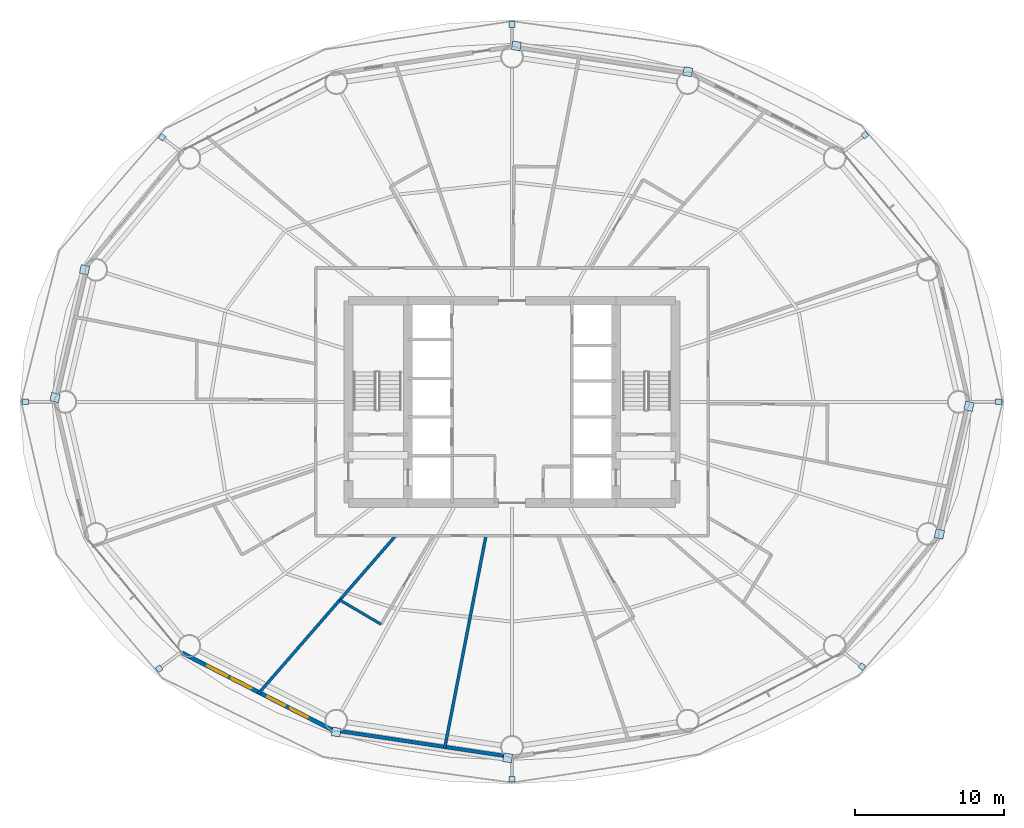
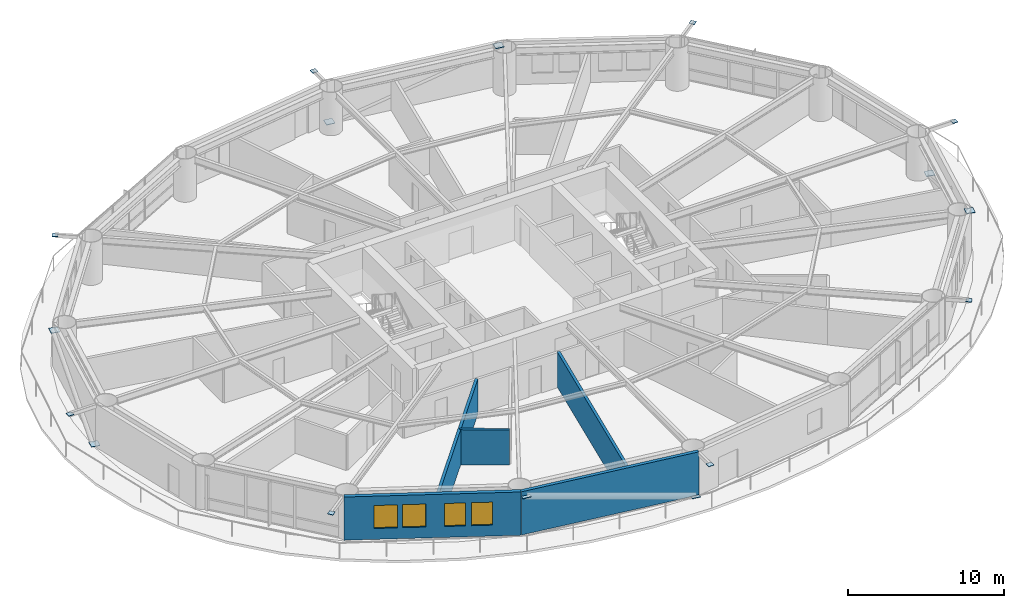
# One storey, part 19 of 26: 16 plates, 5 walls, 4 windows, 4 openings.
"""IFC4 building model written with IfcOpenShell, lengths in metres."""

from ifc_helpers import new_model, si_unit, direction, frame, frame_2d, origin, origin_2d, place, context, subcontext, project, spatial, rectangle, extrude, material, layer, layer_set, type_object, element, fill, save


model = new_model("IFC4")

# Units and contexts
model_context = context("Model", 3, precision=1e-05, world=origin(), true_north=direction((0.0, 1.0)))
body_context = subcontext(model_context, "Body", "Model", "MODEL_VIEW")
ifc_project = project(units=[si_unit("LENGTHUNIT", "METRE"), si_unit("AREAUNIT", "SQUARE_METRE"), si_unit("VOLUMEUNIT", "CUBIC_METRE"), si_unit("PLANEANGLEUNIT", "RADIAN"), si_unit("MASSUNIT", "GRAM", prefix="KILO")], contexts=[model_context])

# Site, building, storey
site_placement = place(None, origin())
site = spatial("IfcSite", under=ifc_project, at=site_placement, CompositionType="ELEMENT")
building_placement = place(site_placement, origin())
building = spatial("IfcBuilding", under=site, at=building_placement, Name="Sarneth Arch Tower", CompositionType="ELEMENT")
storey_placement = place(building_placement, frame((0.0, 0.0, 71.39990234375)))
storey = spatial("IfcBuildingStorey", under=building, at=storey_placement, Name="L17", CompositionType="ELEMENT", Elevation=71.39990234375)

# Plates
ifc_material_1 = material(Name="Steel S355", Category="steel")
ifc_layer_1 = layer(ifc_material_1, 0.035888671875)
ifc_layer_set_1 = layer_set([ifc_layer_1], Name="Steel S355")
plate_type = type_object("IfcPlateType", Name="PLT-GUSSET-30", PredefinedType="SHEET", material=ifc_layer_set_1)
for number, where, z_axis, x_axis, name in (
    (1, (80.70703125, 42.0, 3.2021484375), (0.0, 0.0, 1.0), (1.0, 0.0, 0.0), "Steel end cap plate GP-1"),
    (2, (71.72705078125, 59.940185546875, 3.2021484375), (0.0, 0.0, 1.0), (0.797689196331, 0.603068773902, 0.0), "Steel end cap plate GP-1"),
):
    element("IfcPlate", number, at=place(storey_placement, frame(where, z_axis=z_axis, x_axis=x_axis)), inside=storey, type_object=plate_type, Name=name, PredefinedType="SHEET", context=body_context, shape_type="SweptSolid", body=[
        extrude(rectangle(XDim=0.3798828125, YDim=0.3798828125, at=origin_2d()), origin(), (0.0, 0.0, 1.0), 0.035888671875),
    ])
for number, where, z_axis, x_axis, name in (
    (3, (48.296630859375, 65.935302734375, 0.001953125), (0.0, 0.0, 1.0), (-0.98883454203, 0.149017611339, 0.0), "Steel end cap plate GP-1"),
    (4, (59.819580078125, 64.19921875, 2.98876953125), (0.0, 0.0, 1.0), (-0.98883454203, 0.149017611339, 0.0), "Steel end cap plate GP-1"),
):
    element("IfcPlate", number, at=place(storey_placement, frame(where, z_axis=z_axis, x_axis=x_axis)), inside=storey, type_object=plate_type, Name=name, PredefinedType="SHEET", context=body_context, shape_type="SweptSolid", body=[
        extrude(rectangle(XDim=0.587890625, YDim=0.587890625, at=origin_2d()), origin(), (0.0, 0.0, 1.0), 0.035888671875),
    ])
for number, where, z_axis, x_axis, name in (
    (5, (48.0, 67.3779296875, 3.2021484375), (0.0, 0.0, 1.0), (0.0, 1.0, 0.0), "Steel end cap plate GP-1"),
    (6, (24.465087890625, 59.794677734375, 3.2021484375), (0.0, 0.0, 1.0), (-0.797689196331, 0.603068773902, 0.0), "Steel end cap plate GP-1"),
):
    element("IfcPlate", number, at=place(storey_placement, frame(where, z_axis=z_axis, x_axis=x_axis)), inside=storey, type_object=plate_type, Name=name, PredefinedType="SHEET", context=body_context, shape_type="SweptSolid", body=[
        extrude(rectangle(XDim=0.3798828125, YDim=0.3798828125, at=origin_2d()), origin(), (0.0, 0.0, 1.0), 0.035888671875),
    ])
for number, where, z_axis, x_axis, name in (
    (7, (17.274658203125, 42.292236328125, 0.001953125), (0.0, 0.0, 1.0), (-0.225291159947, -0.974291482694, 0.0), "Steel end cap plate GP-1"),
    (8, (19.260986328125, 50.884521484375, 2.98876953125), (0.0, 0.0, 1.0), (-0.225291159947, -0.974291482694, 0.0), "Steel end cap plate GP-1"),
):
    element("IfcPlate", number, at=place(storey_placement, frame(where, z_axis=z_axis, x_axis=x_axis)), inside=storey, type_object=plate_type, Name=name, PredefinedType="SHEET", context=body_context, shape_type="SweptSolid", body=[
        extrude(rectangle(XDim=0.587890625, YDim=0.587890625, at=origin_2d()), origin(), (0.0, 0.0, 1.0), 0.035888671875),
    ])
for number, where, z_axis, x_axis, name in (
    (9, (15.29296875, 42.0, 3.2021484375), (0.0, 0.0, 1.0), (-1.0, 0.0, 0.0), "Steel end cap plate GP-1"),
    (10, (24.27294921875, 24.059814453125, 3.2021484375), (0.0, 0.0, 1.0), (-0.797689196331, -0.603068773902, 0.0), "Steel end cap plate GP-1"),
):
    element("IfcPlate", number, at=place(storey_placement, frame(where, z_axis=z_axis, x_axis=x_axis)), inside=storey, type_object=plate_type, Name=name, PredefinedType="SHEET", context=body_context, shape_type="SweptSolid", body=[
        extrude(rectangle(XDim=0.3798828125, YDim=0.3798828125, at=origin_2d()), origin(), (0.0, 0.0, 1.0), 0.035888671875),
    ])
for number, where, z_axis, x_axis, name in (
    (11, (47.703369140625, 18.064697265625, 0.001953125), (0.0, 0.0, 1.0), (0.98883454203, -0.149017611339, 0.0), "Steel end cap plate GP-1"),
    (12, (36.180419921875, 19.80078125, 2.98876953125), (0.0, 0.0, 1.0), (0.98883454203, -0.149017611339, 0.0), "Steel end cap plate GP-1"),
):
    element("IfcPlate", number, at=place(storey_placement, frame(where, z_axis=z_axis, x_axis=x_axis)), inside=storey, type_object=plate_type, Name=name, PredefinedType="SHEET", context=body_context, shape_type="SweptSolid", body=[
        extrude(rectangle(XDim=0.587890625, YDim=0.587890625, at=origin_2d()), origin(), (0.0, 0.0, 1.0), 0.035888671875),
    ])
for number, where, z_axis, x_axis, name in (
    (13, (48.0, 16.6220703125, 3.2021484375), (0.0, 0.0, 1.0), (0.0, -1.0, 0.0), "Steel end cap plate GP-1"),
    (14, (71.534912109375, 24.205322265625, 3.2021484375), (0.0, 0.0, 1.0), (0.797689196331, -0.603068773902, 0.0), "Steel end cap plate GP-1"),
):
    element("IfcPlate", number, at=place(storey_placement, frame(where, z_axis=z_axis, x_axis=x_axis)), inside=storey, type_object=plate_type, Name=name, PredefinedType="SHEET", context=body_context, shape_type="SweptSolid", body=[
        extrude(rectangle(XDim=0.3798828125, YDim=0.3798828125, at=origin_2d()), origin(), (0.0, 0.0, 1.0), 0.035888671875),
    ])
for number, where, z_axis, x_axis, name in (
    (15, (78.725341796875, 41.707763671875, 0.001953125), (0.0, 0.0, 1.0), (0.225291159947, 0.974291482694, 0.0), "Steel end cap plate GP-1"),
    (16, (76.739013671875, 33.115478515625, 2.98876953125), (0.0, 0.0, 1.0), (0.225291159947, 0.974291482694, 0.0), "Steel end cap plate GP-1"),
):
    element("IfcPlate", number, at=place(storey_placement, frame(where, z_axis=z_axis, x_axis=x_axis)), inside=storey, type_object=plate_type, Name=name, PredefinedType="SHEET", context=body_context, shape_type="SweptSolid", body=[
        extrude(rectangle(XDim=0.587890625, YDim=0.587890625, at=origin_2d()), origin(), (0.0, 0.0, 1.0), 0.035888671875),
    ])

# Wall
ifc_material_2 = material(Name="Extruded terracotta rainscreen on Concrete C40/50 backing", Category="masonry")
ifc_layer_2 = layer(ifc_material_2, 0.25)
ifc_layer_set_2 = layer_set([ifc_layer_2], Name="Extruded terracotta rainscreen on Concrete C40/50 backing")
wall_type_1 = type_object("IfcWallType", Name="WALL-EXT-SPAND-250", PredefinedType="SOLIDWALL", material=ifc_layer_set_2)
wall_1_placement = place(storey_placement, frame((35.922119140625, 19.937744140625, 0.0), z_axis=(0.0, 0.0, 1.0), x_axis=(0.988864835849, -0.148816452121, 0.0)))
element("IfcWall", 17, at=wall_1_placement, inside=storey, type_object=wall_type_1, Name="L17 Terracotta perimeter wall 12", PredefinedType="SOLIDWALL", context=body_context, shape_type="SweptSolid", body=[
    extrude(rectangle(XDim=12.2138671875, YDim=0.25, at=frame_2d((6.10693359375, 0.0))), origin(), (0.0, 0.0, 1.0), 3.380126953125),
])

# Wall, openings, windows
ifc_material_3 = material(Name="Extruded terracotta rainscreen on Concrete C40/50 backing", Category="masonry")
ifc_layer_3 = layer(ifc_material_3, 0.280029296875)
ifc_layer_set_3 = layer_set([ifc_layer_3], Name="Extruded terracotta rainscreen on Concrete C40/50 backing")
wall_type_2 = type_object("IfcWallType", Name="WALL-EXT-TERRA-280", PredefinedType="SOLIDWALL", material=ifc_layer_set_3)
wall_2_placement = place(storey_placement, frame((25.825927734375, 25.1142578125, 0.0), z_axis=(0.0, 0.0, 1.0), x_axis=(0.889853976658, -0.456245438581, 0.0)))
wall_2 = element("IfcWall", 18, at=wall_2_placement, inside=storey, type_object=wall_type_2, Name="L17 Terracotta perimeter wall 11", PredefinedType="SOLIDWALL", context=body_context, shape_type="SweptSolid", body=[
    extrude(rectangle(XDim=11.345947265625, YDim=0.280029296875, at=frame_2d((5.6728515625, 0.0))), origin(), (0.0, 0.0, 1.0), 3.380126953125),
])
opening_1_placement = place(wall_2_placement, frame((1.919677734375, 0.0, 0.85009765625)))
opening_1 = element("IfcOpeningElement", 19, at=opening_1_placement, cuts=wall_2, Name="Opening W-07", PredefinedType="OPENING", context=body_context, shape_type="SweptSolid", body=[
    extrude(rectangle(XDim=1.5, YDim=1.800048828125, at=frame_2d((0.75, 0.89990234375))), frame((0.0, 0.14990234375, 0.0), z_axis=(0.0, -1.0, 0.0), x_axis=(1.0, 0.0, 0.0)), (0.0, 0.0, 1.0), 0.300048828125),
])
opening_2_placement = place(wall_2_placement, frame((3.733642578125, 0.0, 0.85009765625)))
opening_2 = element("IfcOpeningElement", 20, at=opening_2_placement, cuts=wall_2, Name="Opening W-07", PredefinedType="OPENING", context=body_context, shape_type="SweptSolid", body=[
    extrude(rectangle(XDim=1.5, YDim=1.800048828125, at=frame_2d((0.75, 0.89990234375))), frame((0.0, 0.14990234375, 0.0), z_axis=(0.0, -1.0, 0.0), x_axis=(1.0, 0.0, 0.0)), (0.0, 0.0, 1.0), 0.300048828125),
])
opening_3_placement = place(wall_2_placement, frame((6.4287109375, 0.0, 0.85009765625)))
opening_3 = element("IfcOpeningElement", 21, at=opening_3_placement, cuts=wall_2, Name="Opening W-08", PredefinedType="OPENING", context=body_context, shape_type="SweptSolid", body=[
    extrude(rectangle(XDim=1.35009765625, YDim=1.800048828125, at=frame_2d((0.675048828125, 0.89990234375))), frame((0.0, 0.14990234375, 0.0), z_axis=(0.0, -1.0, 0.0), x_axis=(1.0, 0.0, 0.0)), (0.0, 0.0, 1.0), 0.300048828125),
])
opening_4_placement = place(wall_2_placement, frame((8.15966796875, 0.0, 0.85009765625)))
opening_4 = element("IfcOpeningElement", 22, at=opening_4_placement, cuts=wall_2, Name="Opening W-08", PredefinedType="OPENING", context=body_context, shape_type="SweptSolid", body=[
    extrude(rectangle(XDim=1.35009765625, YDim=1.800048828125, at=frame_2d((0.675048828125, 0.89990234375))), frame((0.0, 0.14990234375, 0.0), z_axis=(0.0, -1.0, 0.0), x_axis=(1.0, 0.0, 0.0)), (0.0, 0.0, 1.0), 0.300048828125),
])
ifc_material_4 = material(Name="Thermally broken Aluminium 6063-T6 and low-e laminated IGU", Category="aluminium")
window_type_1 = type_object("IfcWindowType", Name="WIN-TWR-1350x1800", PartitioningType="SINGLE_PANEL", PredefinedType="WINDOW", material=ifc_material_4)
window_1_placement = place(opening_3_placement, origin())
window_1 = element("IfcWindow", 23, at=window_1_placement, inside=storey, type_object=window_type_1, Name="L17 Exterior window 11C", OverallHeight=1.800048828125, OverallWidth=1.35009765625, PartitioningType="SINGLE_PANEL", PredefinedType="WINDOW", context=body_context, shape_type="SweptSolid", body=[
    extrude(rectangle(XDim=1.35009765625, YDim=1.800048828125, at=frame_2d((0.675048828125, 0.89990234375))), frame((0.0, 0.030029296875, 0.0), z_axis=(0.0, -1.0, 0.0), x_axis=(1.0, 0.0, 0.0)), (0.0, 0.0, 1.0), 0.06005859375),
])
fill(opening_3, window_1)
window_2_placement = place(opening_4_placement, origin())
window_2 = element("IfcWindow", 24, at=window_2_placement, inside=storey, type_object=window_type_1, Name="L17 Exterior window 11D", OverallHeight=1.800048828125, OverallWidth=1.35009765625, PartitioningType="SINGLE_PANEL", PredefinedType="WINDOW", context=body_context, shape_type="SweptSolid", body=[
    extrude(rectangle(XDim=1.35009765625, YDim=1.800048828125, at=frame_2d((0.675048828125, 0.89990234375))), frame((0.0, 0.030029296875, 0.0), z_axis=(0.0, -1.0, 0.0), x_axis=(1.0, 0.0, 0.0)), (0.0, 0.0, 1.0), 0.06005859375),
])
fill(opening_4, window_2)
ifc_material_5 = material(Name="Thermally broken Aluminium 6063-T6 and low-e laminated IGU", Category="aluminium")
window_type_2 = type_object("IfcWindowType", Name="WIN-TWR-1500x1800", PartitioningType="SINGLE_PANEL", PredefinedType="WINDOW", material=ifc_material_5)
window_3_placement = place(opening_1_placement, origin())
window_3 = element("IfcWindow", 25, at=window_3_placement, inside=storey, type_object=window_type_2, Name="L17 Exterior window 11A", OverallHeight=1.800048828125, OverallWidth=1.5, PartitioningType="SINGLE_PANEL", PredefinedType="WINDOW", context=body_context, shape_type="SweptSolid", body=[
    extrude(rectangle(XDim=1.5, YDim=1.800048828125, at=frame_2d((0.75, 0.89990234375))), frame((0.0, 0.030029296875, 0.0), z_axis=(0.0, -1.0, 0.0), x_axis=(1.0, 0.0, 0.0)), (0.0, 0.0, 1.0), 0.06005859375),
])
fill(opening_1, window_3)
window_4_placement = place(opening_2_placement, origin())
window_4 = element("IfcWindow", 26, at=window_4_placement, inside=storey, type_object=window_type_2, Name="L17 Exterior window 11B", OverallHeight=1.800048828125, OverallWidth=1.5, PartitioningType="SINGLE_PANEL", PredefinedType="WINDOW", context=body_context, shape_type="SweptSolid", body=[
    extrude(rectangle(XDim=1.5, YDim=1.800048828125, at=frame_2d((0.75, 0.89990234375))), frame((0.0, 0.030029296875, 0.0), z_axis=(0.0, -1.0, 0.0), x_axis=(1.0, 0.0, 0.0)), (0.0, 0.0, 1.0), 0.06005859375),
])
fill(opening_2, window_4)

# Walls
ifc_material_6 = material(Name="Moisture-resistant plumbing chase wall", Category="gypsum")
ifc_layer_4 = layer(ifc_material_6, 0.179931640625)
ifc_layer_set_4 = layer_set([ifc_layer_4], Name="Moisture-resistant plumbing chase wall")
wall_type_3 = type_object("IfcWallType", Name="WALL-PLUMB-180", PredefinedType="PLUMBINGWALL", material=ifc_layer_set_4)
wall_3_placement = place(storey_placement, frame((36.42138671875, 28.680419921875, 0.0), z_axis=(0.0, 0.0, 1.0), x_axis=(0.861637458593, -0.507524275232, 0.0)))
element("IfcWall", 27, at=wall_3_placement, inside=storey, type_object=wall_type_3, Name="L17 Interior partition W-L17-TP-050", PredefinedType="PLUMBINGWALL", context=body_context, shape_type="SweptSolid", body=[
    extrude(rectangle(XDim=3.21630859375, YDim=0.179931640625, at=frame_2d((1.608154296875, 0.0))), origin(), (0.0, 0.0, 1.0), 2.739990234375),
])
ifc_material_7 = material(Name="Double steel-stud acoustic drywall", Category="steel")
ifc_layer_5 = layer(ifc_material_7, 0.199951171875)
ifc_layer_set_5 = layer_set([ifc_layer_5], Name="Double steel-stud acoustic drywall")
wall_type_4 = type_object("IfcWallType", Name="WALL-UNIT-200", PredefinedType="PARTITIONING", material=ifc_layer_set_5)
wall_4_placement = place(storey_placement, frame((43.46728515625, 18.680908203125, 0.0), z_axis=(0.0, 0.0, 1.0), x_axis=(0.190799326792, 0.981629062781, 0.0)))
element("IfcWall", 28, at=wall_4_placement, inside=storey, type_object=wall_type_4, Name="L17 Interior partition W-L17-TP-052", PredefinedType="PARTITIONING", context=body_context, shape_type="SweptSolid", body=[
    extrude(rectangle(XDim=14.587158203125, YDim=0.199951171875, at=frame_2d((7.29345703125, 0.0))), origin(), (0.0, 0.0, 1.0), 2.739990234375),
])
wall_5_placement = place(storey_placement, frame((40.176513671875, 33.0, 0.0), z_axis=(0.0, 0.0, 1.0), x_axis=(-0.656066321773, -0.754703240641, 0.0)))
element("IfcWall", 29, at=wall_5_placement, inside=storey, type_object=wall_type_4, Name="L17 Interior partition W-L17-TP-048", PredefinedType="PARTITIONING", context=body_context, shape_type="SweptSolid", body=[
    extrude(rectangle(XDim=14.091064453125, YDim=0.199951171875, at=frame_2d((7.04541015625, 0.0))), origin(), (0.0, 0.0, 1.0), 2.739990234375),
])

save(model, "model.ifc")
